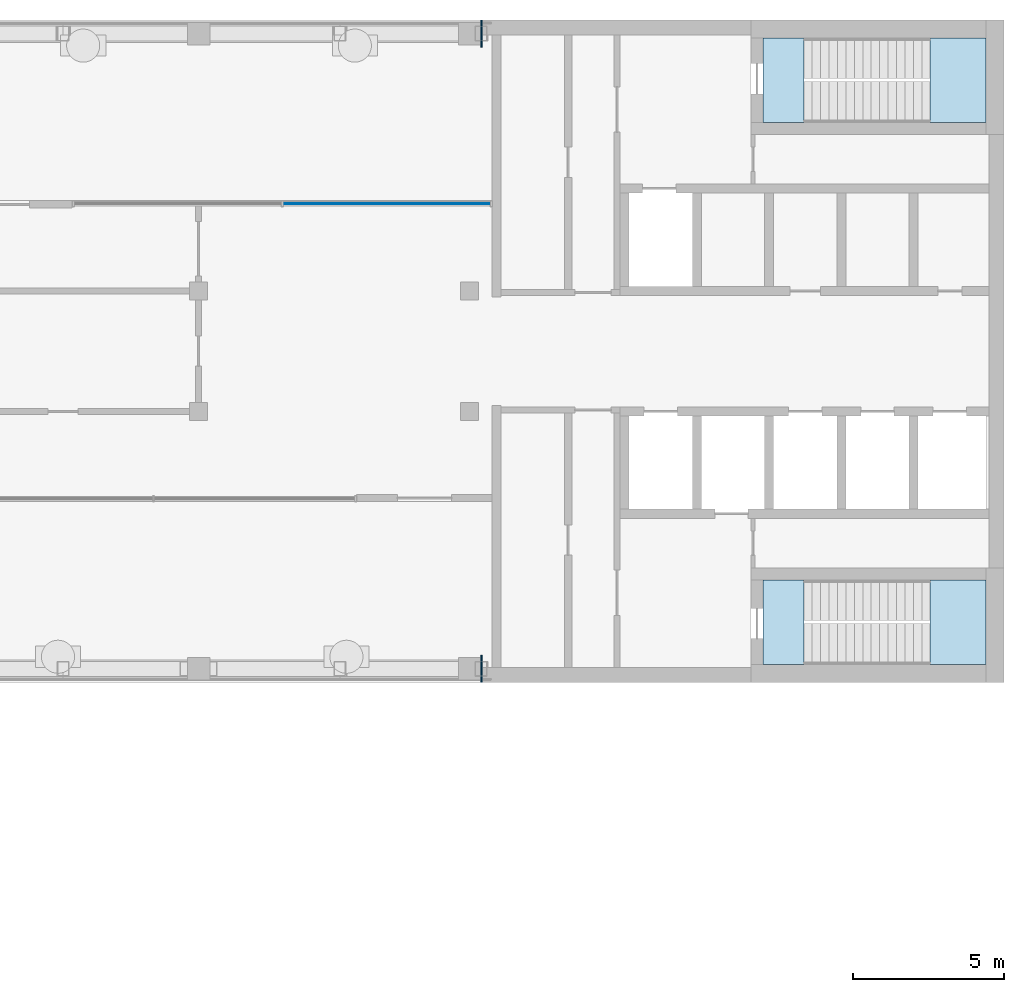
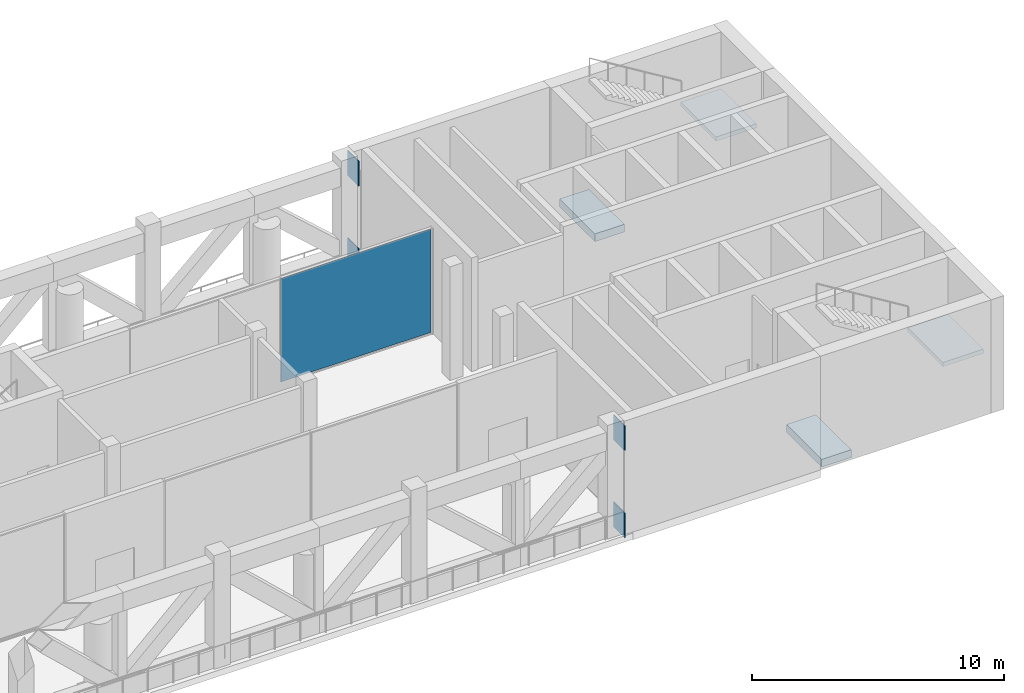
# One storey, part 7 of 14: 5 plates, 4 slabs, 3 elements without a shape of their own.
"""IFC4 building model written with IfcOpenShell, lengths in metres."""

from ifc_helpers import new_model, si_unit, direction, frame, origin, origin_2d, place, context, subcontext, project, spatial, polyline, rectangle, outline, extrude, material, layer, layer_set, type_object, element, aggregate, save


model = new_model("IFC4")

# Units and contexts
model_context = context("Model", 3, precision=1e-05, world=origin(), true_north=direction((0.0, 1.0)))
body_context = subcontext(model_context, "Body", "Model", "MODEL_VIEW")
ifc_project = project(units=[si_unit("LENGTHUNIT", "METRE"), si_unit("AREAUNIT", "SQUARE_METRE"), si_unit("VOLUMEUNIT", "CUBIC_METRE"), si_unit("PLANEANGLEUNIT", "RADIAN"), si_unit("MASSUNIT", "GRAM", prefix="KILO")], contexts=[model_context])

# Site, building, storey
site_placement = place(None, origin())
site = spatial("IfcSite", under=ifc_project, at=site_placement, CompositionType="ELEMENT")
building_placement = place(site_placement, origin())
building = spatial("IfcBuilding", under=site, at=building_placement, Name="Skarvind Civic Tower", CompositionType="ELEMENT")
storey_placement = place(building_placement, frame((0.0, 0.0, 236.0)))
storey = spatial("IfcBuildingStorey", under=building, at=storey_placement, Name="L56", CompositionType="ELEMENT", Elevation=236.0)

# Curtain wall, plate
ifc_material_1 = material(Name="Aluminium alloy 6063 and laminated glass", Category="aluminium")
curtain_wall_type = type_object("IfcCurtainWallType", Name="CW3 SEPARATOR INNER GLAZING", PredefinedType="NOTDEFINED", material=ifc_material_1)
curtain_wall_placement = place(storey_placement, origin())
curtain_wall = element("IfcCurtainWall", 1, at=curtain_wall_placement, inside=storey, type_object=curtain_wall_type, Name="SEPARATOR INNER GLAZING", PredefinedType="NOTDEFINED")
ifc_material_2 = material(Name="Laminated low-iron glass", Category="glass")
ifc_layer_1 = layer(ifc_material_2, 0.031982421875)
ifc_layer_set_1 = layer_set([ifc_layer_1], Name="CW3 GLASS PANEL 32")
plate_type_1 = type_object("IfcPlateType", Name="CW3 GLASS PANEL 32", PredefinedType="CURTAIN_PANEL", material=ifc_layer_set_1)
plate_placement = place(storey_placement, frame((87.49755859375, 132.89990234375, 0.06005859375), z_axis=(0.0, 0.0, 1.0), x_axis=(1.0, 0.0, 0.0)))
plate = element("IfcPlate", 2, at=plate_placement, type_object=plate_type_1, Name="CW3 panel 2.1", PredefinedType="CURTAIN_PANEL", context=body_context, shape_type="SweptSolid", body=[
    extrude(rectangle(XDim=6.885009765625, YDim=0.031982421875, at=origin_2d()), origin(), (0.0, 0.0, 1.0), 5.0048828125),
])
aggregate(curtain_wall, [plate])

# Plates
ifc_material_3 = material(Name="Steel SM355", Category="steel")
ifc_layer_2 = layer(ifc_material_3, 0.0400390625)
ifc_layer_set_2 = layer_set([ifc_layer_2], Name="Cast-in plate 40")
plate_type_2 = type_object("IfcPlateType", Name="Cast-in plate 40", PredefinedType="USERDEFINED", material=ifc_layer_set_2)
for number, where, z_axis, x_axis, name in (
    (3, (90.64501953125, 138.550048828125, -0.14990234375), (0.0, 0.0, 1.0), (1.0, 0.0, 0.0), "Cast-in plate W1N BC 40"),
    (4, (90.64501953125, 138.550048828125, 4.0751953125), (0.0, 0.0, 1.0), (1.0, 0.0, 0.0), "Cast-in plate W1N TC 40"),
    (5, (90.64501953125, 117.449951171875, -0.14990234375), (0.0, 0.0, 1.0), (1.0, 0.0, 0.0), "Cast-in plate W1S BC 40"),
    (6, (90.64501953125, 117.449951171875, 4.0751953125), (0.0, 0.0, 1.0), (1.0, 0.0, 0.0), "Cast-in plate W1S TC 40"),
):
    element("IfcPlate", number, at=place(storey_placement, frame(where, z_axis=z_axis, x_axis=x_axis)), inside=storey, type_object=plate_type_2, Name=name, ObjectType="CAST-IN PLATE", PredefinedType="USERDEFINED", context=body_context, shape_type="SweptSolid", body=[
        extrude(rectangle(XDim=0.0400390625, YDim=0.89990234375, at=origin_2d()), origin(), (0.0, 0.0, 1.0), 1.199951171875),
    ])

# Slabs
ifc_material_4 = material(Name="Concrete C40/50", Category="concrete")
ifc_layer_3 = layer(ifc_material_4, 0.375)
ifc_layer_set_3 = layer_set([ifc_layer_3], Name="Stair floor landing slab 375")
slab_type_1 = type_object("IfcSlabType", Name="Stair floor landing slab 375", PredefinedType="LANDING", material=ifc_layer_set_3)
slab_1_placement = place(storey_placement, frame((0.0, 0.0, -0.375)))
element("IfcSlab", 7, at=slab_1_placement, inside=storey, type_object=slab_type_1, Name="Stair floor landing", PredefinedType="LANDING", context=body_context, shape_type="SweptSolid", body=[
    extrude(outline(polyline([(101.3505859375, 138.400634765625), (101.3505859375, 135.599365234375), (99.99951171875, 135.599365234375), (99.99951171875, 138.400634765625), (101.3505859375, 138.400634765625)])), origin(), (0.0, 0.0, 1.0), 0.375),
])
slab_2_placement = place(storey_placement, frame((0.0, 0.0, -0.375)))
element("IfcSlab", 8, at=slab_2_placement, inside=storey, type_object=slab_type_1, Name="Stair floor landing", PredefinedType="LANDING", context=body_context, shape_type="SweptSolid", body=[
    extrude(outline(polyline([(101.3505859375, 120.400634765625), (101.3505859375, 117.599365234375), (99.99951171875, 117.599365234375), (99.99951171875, 120.400634765625), (101.3505859375, 120.400634765625)])), origin(), (0.0, 0.0, 1.0), 0.375),
])

# Stair, slab
stair_type = type_object("IfcStairType", Name="Exit stair, half-turn, concrete", PredefinedType="HALF_TURN_STAIR", material=ifc_material_4)
stair_1_placement = place(storey_placement, origin())
stair_1 = element("IfcStair", 9, at=stair_1_placement, inside=storey, type_object=stair_type, Name="Exit stair C1S", PredefinedType="HALF_TURN_STAIR")
ifc_layer_4 = layer(ifc_material_4, 0.199951171875)
ifc_layer_set_4 = layer_set([ifc_layer_4], Name="Stair half landing slab")
slab_type_2 = type_object("IfcSlabType", Name="Stair half landing slab", PredefinedType="LANDING", material=ifc_layer_set_4)
slab_3_placement = place(storey_placement, frame((0.0, 0.0, 2.550048828125)))
slab_3 = element("IfcSlab", 10, at=slab_3_placement, type_object=slab_type_2, Name="ST-C1S landing 1", PredefinedType="LANDING", context=body_context, shape_type="SweptSolid", body=[
    extrude(outline(polyline([(105.54931640625, 135.599365234375), (105.54931640625, 138.400634765625), (107.400634765625, 138.400634765625), (107.400634765625, 135.599365234375), (105.54931640625, 135.599365234375)])), origin(), (0.0, 0.0, 1.0), 0.199951171875),
])
aggregate(stair_1, [slab_3])

stair_2_placement = place(storey_placement, origin())
stair_2 = element("IfcStair", 11, at=stair_2_placement, inside=storey, type_object=stair_type, Name="Exit stair C1N", PredefinedType="HALF_TURN_STAIR")
slab_4_placement = place(storey_placement, frame((0.0, 0.0, 2.550048828125)))
slab_4 = element("IfcSlab", 12, at=slab_4_placement, type_object=slab_type_2, Name="ST-C1N landing 1", PredefinedType="LANDING", context=body_context, shape_type="SweptSolid", body=[
    extrude(outline(polyline([(105.54931640625, 117.599365234375), (105.54931640625, 120.400634765625), (107.400634765625, 120.400634765625), (107.400634765625, 117.599365234375), (105.54931640625, 117.599365234375)])), origin(), (0.0, 0.0, 1.0), 0.199951171875),
])
aggregate(stair_2, [slab_4])

save(model, "model.ifc")
